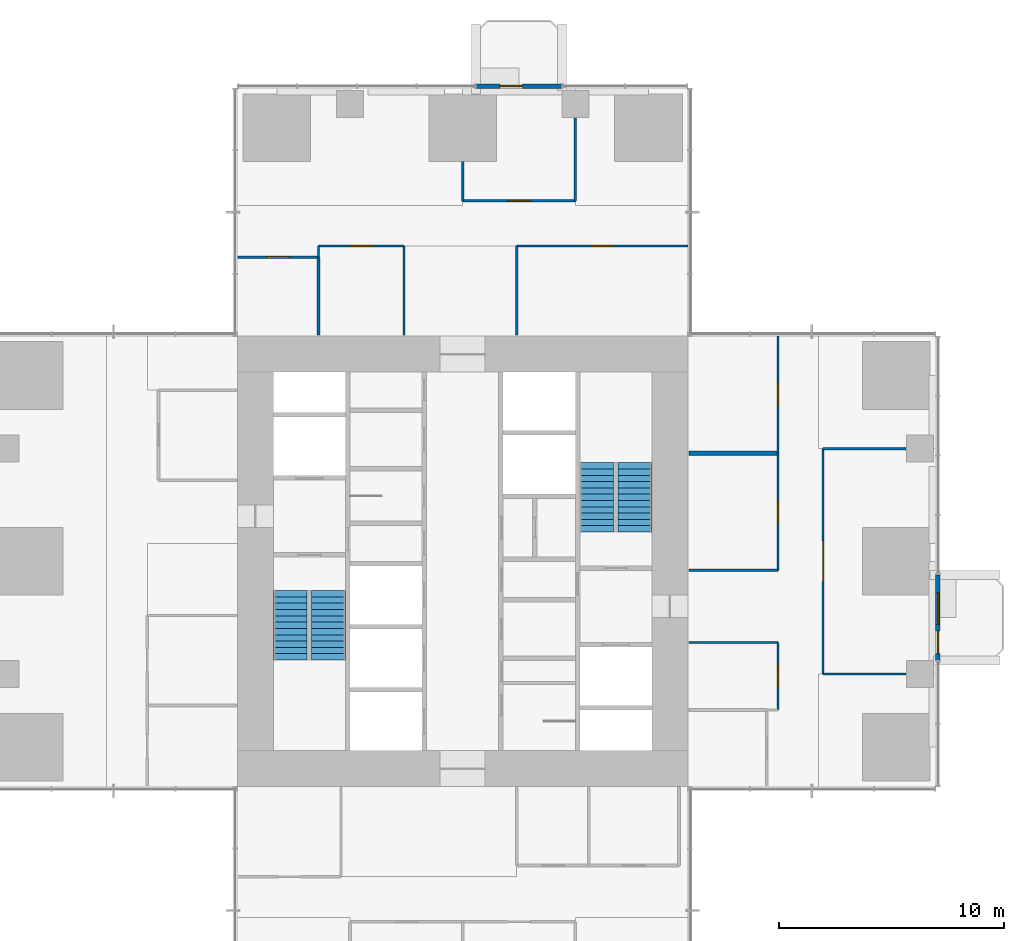
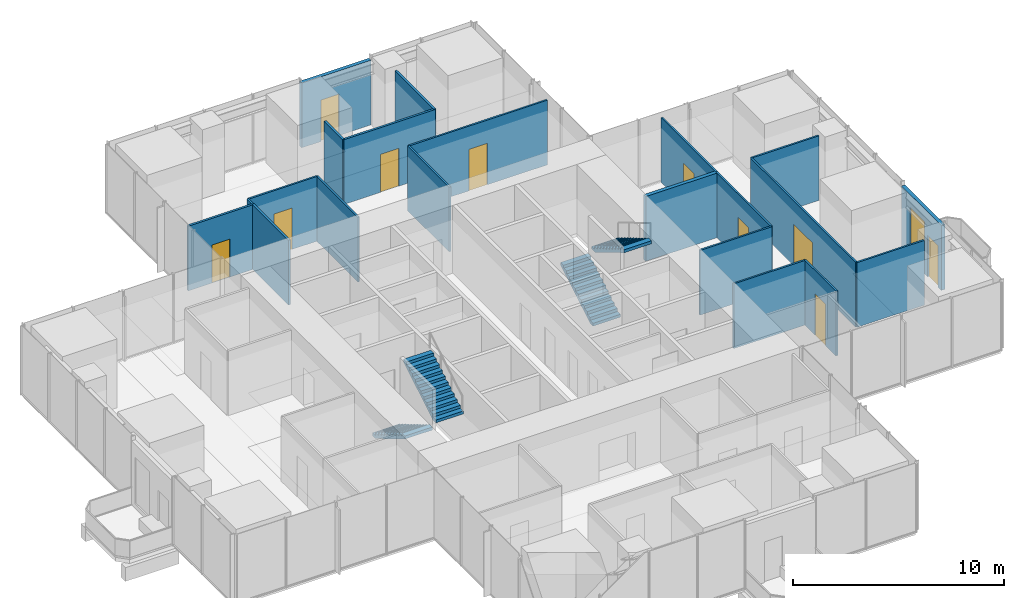
# One storey, part 10 of 13: 21 walls, 10 doors, 4 stair flights, 1 window, 11 openings, 2 elements without a shape of their own.
"""IFC4 building model written with IfcOpenShell, lengths in metres."""

from ifc_helpers import new_model, si_unit, direction, frame, frame_2d, origin, place, context, subcontext, project, spatial, polyline, rectangle, outline, extrude, material, layer, layer_set, type_object, element, fill, aggregate, save


model = new_model("IFC4")

# Units and contexts
model_context = context("Model", 3, precision=1e-05, world=origin(), true_north=direction((0.0, 1.0)))
body_context = subcontext(model_context, "Body", "Model", "MODEL_VIEW")
ifc_project = project(units=[si_unit("LENGTHUNIT", "METRE"), si_unit("AREAUNIT", "SQUARE_METRE"), si_unit("VOLUMEUNIT", "CUBIC_METRE"), si_unit("PLANEANGLEUNIT", "RADIAN"), si_unit("MASSUNIT", "GRAM", prefix="KILO")], contexts=[model_context])

# Site, building, storey
site_placement = place(None, origin())
site = spatial("IfcSite", under=ifc_project, at=site_placement, CompositionType="ELEMENT")
building_placement = place(site_placement, origin())
building = spatial("IfcBuilding", under=site, at=building_placement, Name="Svetlomir Tower", CompositionType="ELEMENT")
storey_placement = place(building_placement, frame((0.0, 0.0, 120.5)))
storey = spatial("IfcBuildingStorey", under=building, at=storey_placement, Name="L28", CompositionType="ELEMENT", Elevation=120.5)

# Wall
ifc_material_1 = material(Name="Gypsum board on twin steel studs", Category="steel")
ifc_layer_1 = layer(ifc_material_1, 0.199951171875)
ifc_layer_set_1 = layer_set([ifc_layer_1], Name="Gypsum board on twin steel studs")
wall_type_1 = type_object("IfcWallType", Name="ACOUSTIC PARTITION 200", PredefinedType="PARTITIONING", material=ifc_layer_set_1)
wall_1_placement = place(storey_placement, frame((31.050048828125, 25.800048828125, 0.0), z_axis=(0.0, 0.0, 1.0), x_axis=(1.0, 0.0, 0.0)))
element("IfcWall", 1, at=wall_1_placement, inside=storey, type_object=wall_type_1, Name="Acoustic partition L28", PredefinedType="PARTITIONING", context=body_context, shape_type="SweptSolid", body=[
    extrude(rectangle(XDim=3.949951171875, YDim=0.199951171875, at=frame_2d((1.97509765625, 0.0))), origin(), (0.0, 0.0, 1.0), 3.75),
])

# Wall, openings, door, window
ifc_material_2 = material(Name="Bronze anodised aluminium glazed screen", Category="aluminium")
ifc_layer_2 = layer(ifc_material_2, 0.199951171875)
ifc_layer_set_2 = layer_set([ifc_layer_2], Name="Bronze anodised aluminium glazed screen")
wall_type_2 = type_object("IfcWallType", Name="BALCONY SCREEN WALL 200", PredefinedType="USERDEFINED", material=ifc_layer_set_2)
wall_2_placement = place(storey_placement, frame((42.10009765625, 16.60009765625, 0.0), z_axis=(0.0, 0.0, 1.0), x_axis=(0.0, 1.0, 0.0)))
wall_2 = element("IfcWall", 2, at=wall_2_placement, inside=storey, type_object=wall_type_2, Name="Balcony screen E", ObjectType="GLAZED SCREEN", PredefinedType="USERDEFINED", context=body_context, shape_type="SweptSolid", body=[
    extrude(rectangle(XDim=3.7998046875, YDim=0.199951171875, at=frame_2d((1.89990234375, 0.0))), origin(), (0.0, 0.0, 1.0), 3.75),
])
opening_1_placement = place(wall_2_placement, frame((0.300048828125, 0.0, 0.0)))
opening_1 = element("IfcOpeningElement", 3, at=opening_1_placement, cuts=wall_2, Name="Opening BD", PredefinedType="OPENING", context=body_context, shape_type="SweptSolid", body=[
    extrude(rectangle(XDim=1.0, YDim=2.39990234375, at=frame_2d((0.5, 1.199951171875))), frame((0.0, 0.10986328125, 0.0), z_axis=(0.0, -1.0, 0.0), x_axis=(1.0, 0.0, 0.0)), (0.0, 0.0, 1.0), 0.219970703125),
])
opening_2_placement = place(wall_2_placement, frame((1.60009765625, 0.0, 0.300048828125)))
opening_2 = element("IfcOpeningElement", 4, at=opening_2_placement, cuts=wall_2, Name="Opening WS2", PredefinedType="OPENING", context=body_context, shape_type="SweptSolid", body=[
    extrude(rectangle(XDim=1.39990234375, YDim=2.699951171875, at=frame_2d((0.699951171875, 1.35009765625))), frame((0.0, 0.10986328125, 0.0), z_axis=(0.0, -1.0, 0.0), x_axis=(1.0, 0.0, 0.0)), (0.0, 0.0, 1.0), 0.219970703125),
])
ifc_material_3 = material(Name="Bronze anodised aluminium glazed door", Category="aluminium")
door_type_1 = type_object("IfcDoorType", Name="BALCONY DOOR BD 1000x2400", OperationType="SINGLE_SWING_LEFT", PredefinedType="DOOR", material=ifc_material_3)
door_1_placement = place(opening_1_placement, origin())
door_1 = element("IfcDoor", 5, at=door_1_placement, inside=storey, type_object=door_type_1, Name="Balcony screen E door", OperationType="SINGLE_SWING_LEFT", OverallHeight=2.39990234375, OverallWidth=1.0, PredefinedType="DOOR", context=body_context, shape_type="SweptSolid", body=[
    extrude(rectangle(XDim=1.0, YDim=2.39990234375, at=frame_2d((0.5, 1.199951171875))), frame((0.0, 0.02490234375, 0.0), z_axis=(0.0, -1.0, 0.0), x_axis=(1.0, 0.0, 0.0)), (0.0, 0.0, 1.0), 0.050048828125),
])
fill(opening_1, door_1)
ifc_material_4 = material(Name="Bronze anodised aluminium window", Category="aluminium")
window_type = type_object("IfcWindowType", Name="SCREEN WINDOW WS2 1400x2700", PartitioningType="SINGLE_PANEL", PredefinedType="WINDOW", material=ifc_material_4)
window_placement = place(opening_2_placement, origin())
window = element("IfcWindow", 6, at=window_placement, inside=storey, type_object=window_type, Name="Balcony screen E window 1", OverallHeight=2.699951171875, OverallWidth=1.39990234375, PartitioningType="SINGLE_PANEL", PredefinedType="WINDOW", context=body_context, shape_type="SweptSolid", body=[
    extrude(rectangle(XDim=1.39990234375, YDim=2.699951171875, at=frame_2d((0.699951171875, 1.35009765625))), frame((0.0, 0.030029296875, 0.0), z_axis=(0.0, -1.0, 0.0), x_axis=(1.0, 0.0, 0.0)), (0.0, 0.0, 1.0), 0.06005859375),
])
fill(opening_2, window)

# Wall, opening, door
wall_3_placement = place(storey_placement, frame((25.39990234375, 42.10009765625, 0.0), z_axis=(0.0, 0.0, 1.0), x_axis=(-1.0, 0.0, 0.0)))
wall_3 = element("IfcWall", 7, at=wall_3_placement, inside=storey, type_object=wall_type_2, Name="Balcony screen N", ObjectType="GLAZED SCREEN", PredefinedType="USERDEFINED", context=body_context, shape_type="SweptSolid", body=[
    extrude(rectangle(XDim=3.7998046875, YDim=0.199951171875, at=frame_2d((1.89990234375, 0.0))), origin(), (0.0, 0.0, 1.0), 3.75),
])
opening_3_placement = place(wall_3_placement, frame((1.75, 0.0, 0.0)))
opening_3 = element("IfcOpeningElement", 8, at=opening_3_placement, cuts=wall_3, Name="Opening BD", PredefinedType="OPENING", context=body_context, shape_type="SweptSolid", body=[
    extrude(rectangle(XDim=1.0, YDim=2.39990234375, at=frame_2d((0.5, 1.199951171875))), frame((0.0, 0.10986328125, 0.0), z_axis=(0.0, -1.0, 0.0), x_axis=(1.0, 0.0, 0.0)), (0.0, 0.0, 1.0), 0.219970703125),
])
door_2_placement = place(opening_3_placement, origin())
door_2 = element("IfcDoor", 9, at=door_2_placement, inside=storey, type_object=door_type_1, Name="Balcony screen N door", OperationType="SINGLE_SWING_LEFT", OverallHeight=2.39990234375, OverallWidth=1.0, PredefinedType="DOOR", context=body_context, shape_type="SweptSolid", body=[
    extrude(rectangle(XDim=1.0, YDim=2.39990234375, at=frame_2d((0.5, 1.199951171875))), frame((0.0, 0.02490234375, 0.0), z_axis=(0.0, -1.0, 0.0), x_axis=(1.0, 0.0, 0.0)), (0.0, 0.0, 1.0), 0.050048828125),
])
fill(opening_3, door_2)

# Wall
ifc_material_5 = material(Name="Framed laminated glass partition", Category="glass")
ifc_layer_3 = layer(ifc_material_5, 0.10009765625)
ifc_layer_set_3 = layer_set([ifc_layer_3], Name="Framed laminated glass partition")
wall_type_3 = type_object("IfcWallType", Name="GLAZED PARTITION 100", PredefinedType="PARTITIONING", material=ifc_layer_set_3)
wall_4_placement = place(storey_placement, frame((14.60009765625, 34.5, 0.0), z_axis=(0.0, 0.0, 1.0), x_axis=(0.0, 1.0, 0.0)))
element("IfcWall", 10, at=wall_4_placement, inside=storey, type_object=wall_type_3, Name="Glazed partition L28", PredefinedType="PARTITIONING", context=body_context, shape_type="SweptSolid", body=[
    extrude(rectangle(XDim=0.5, YDim=0.10009765625, at=frame_2d((0.25, 0.0))), origin(), (0.0, 0.0, 1.0), 3.75),
])

# Wall, opening, door
wall_5_placement = place(storey_placement, frame((14.60009765625, 35.0, 0.0), z_axis=(0.0, 0.0, 1.0), x_axis=(1.0, 0.0, 0.0)))
wall_5 = element("IfcWall", 11, at=wall_5_placement, inside=storey, type_object=wall_type_3, Name="Glazed partition L28", PredefinedType="PARTITIONING", context=body_context, shape_type="SweptSolid", body=[
    extrude(rectangle(XDim=3.7998046875, YDim=0.10009765625, at=frame_2d((1.89990234375, 0.0))), origin(), (0.0, 0.0, 1.0), 3.75),
])
opening_4_placement = place(wall_5_placement, frame((1.39990234375, 0.0, 0.0)))
opening_4 = element("IfcOpeningElement", 12, at=opening_4_placement, cuts=wall_5, Name="Opening DG", PredefinedType="OPENING", context=body_context, shape_type="SweptSolid", body=[
    extrude(rectangle(XDim=1.0, YDim=2.39990234375, at=frame_2d((0.5, 1.199951171875))), frame((0.0, 0.06005859375, 0.0), z_axis=(0.0, -1.0, 0.0), x_axis=(1.0, 0.0, 0.0)), (0.0, 0.0, 1.0), 0.1201171875),
])
ifc_material_6 = material(Name="Framed laminated glass door", Category="glass")
door_type_2 = type_object("IfcDoorType", Name="GLAZED DOOR DG 1000x2400", OperationType="SINGLE_SWING_LEFT", PredefinedType="DOOR", material=ifc_material_6)
door_3_placement = place(opening_4_placement, origin())
door_3 = element("IfcDoor", 13, at=door_3_placement, inside=storey, type_object=door_type_2, Name="Focus room 2 door L28", OperationType="SINGLE_SWING_RIGHT", OverallHeight=2.39990234375, OverallWidth=1.0, PredefinedType="DOOR", context=body_context, shape_type="SweptSolid", body=[
    extrude(rectangle(XDim=1.0, YDim=2.39990234375, at=frame_2d((0.5, 1.199951171875))), frame((0.0, 0.02490234375, 0.0), z_axis=(0.0, -1.0, 0.0), x_axis=(1.0, 0.0, 0.0)), (0.0, 0.0, 1.0), 0.050048828125),
])
fill(opening_4, door_3)

# Walls
for number, where, z_axis, x_axis, name in (
    (14, (18.39990234375, 31.050048828125, 0.0), (0.0, 0.0, 1.0), (0.0, 1.0, 0.0), "Glazed partition L28"),
    (15, (23.39990234375, 31.050048828125, 0.0), (0.0, 0.0, 1.0), (0.0, 1.0, 0.0), "Glazed partition L28"),
):
    element("IfcWall", number, at=place(storey_placement, frame(where, z_axis=z_axis, x_axis=x_axis)), inside=storey, type_object=wall_type_3, Name=name, PredefinedType="PARTITIONING", context=body_context, shape_type="SweptSolid", body=[
        extrude(rectangle(XDim=3.949951171875, YDim=0.10009765625, at=frame_2d((1.97509765625, 0.0))), origin(), (0.0, 0.0, 1.0), 3.75),
    ])

# Wall, opening, door
wall_6_placement = place(storey_placement, frame((23.39990234375, 35.0, 0.0), z_axis=(0.0, 0.0, 1.0), x_axis=(1.0, 0.0, 0.0)))
wall_6 = element("IfcWall", 16, at=wall_6_placement, inside=storey, type_object=wall_type_3, Name="Glazed partition L28", PredefinedType="PARTITIONING", context=body_context, shape_type="SweptSolid", body=[
    extrude(rectangle(XDim=7.60009765625, YDim=0.10009765625, at=frame_2d((3.800048828125, 0.0))), origin(), (0.0, 0.0, 1.0), 3.75),
])
opening_5_placement = place(wall_6_placement, frame((3.300048828125, 0.0, 0.0)))
opening_5 = element("IfcOpeningElement", 17, at=opening_5_placement, cuts=wall_6, Name="Opening DG", PredefinedType="OPENING", context=body_context, shape_type="SweptSolid", body=[
    extrude(rectangle(XDim=1.0, YDim=2.39990234375, at=frame_2d((0.5, 1.199951171875))), frame((0.0, 0.06005859375, 0.0), z_axis=(0.0, -1.0, 0.0), x_axis=(1.0, 0.0, 0.0)), (0.0, 0.0, 1.0), 0.1201171875),
])
door_4_placement = place(opening_5_placement, origin())
door_4 = element("IfcDoor", 18, at=door_4_placement, inside=storey, type_object=door_type_2, Name="Meeting room, 10 seats door L28", OperationType="SINGLE_SWING_LEFT", OverallHeight=2.39990234375, OverallWidth=1.0, PredefinedType="DOOR", context=body_context, shape_type="SweptSolid", body=[
    extrude(rectangle(XDim=1.0, YDim=2.39990234375, at=frame_2d((0.5, 1.199951171875))), frame((0.0, 0.02490234375, 0.0), z_axis=(0.0, -1.0, 0.0), x_axis=(1.0, 0.0, 0.0)), (0.0, 0.0, 1.0), 0.050048828125),
])
fill(opening_5, door_4)

# Walls
for number, where, z_axis, x_axis, name in (
    (19, (31.050048828125, 17.39990234375, 0.0), (0.0, 0.0, 1.0), (1.0, 0.0, 0.0), "Glazed partition L28"),
    (20, (31.050048828125, 20.60009765625, 0.0), (0.0, 0.0, 1.0), (1.0, 0.0, 0.0), "Glazed partition L28"),
):
    element("IfcWall", number, at=place(storey_placement, frame(where, z_axis=z_axis, x_axis=x_axis)), inside=storey, type_object=wall_type_3, Name=name, PredefinedType="PARTITIONING", context=body_context, shape_type="SweptSolid", body=[
        extrude(rectangle(XDim=3.949951171875, YDim=0.10009765625, at=frame_2d((1.97509765625, 0.0))), origin(), (0.0, 0.0, 1.0), 3.75),
    ])

# Wall, opening, door
wall_7_placement = place(storey_placement, frame((35.0, 14.39990234375, 0.0), z_axis=(0.0, 0.0, 1.0), x_axis=(0.0, 1.0, 0.0)))
wall_7 = element("IfcWall", 21, at=wall_7_placement, inside=storey, type_object=wall_type_3, Name="Glazed partition L28", PredefinedType="PARTITIONING", context=body_context, shape_type="SweptSolid", body=[
    extrude(rectangle(XDim=3.0, YDim=0.10009765625, at=frame_2d((1.5, 0.0))), origin(), (0.0, 0.0, 1.0), 3.75),
])
opening_6_placement = place(wall_7_placement, frame((1.0, 0.0, 0.0)))
opening_6 = element("IfcOpeningElement", 22, at=opening_6_placement, cuts=wall_7, Name="Opening DG", PredefinedType="OPENING", context=body_context, shape_type="SweptSolid", body=[
    extrude(rectangle(XDim=1.0, YDim=2.39990234375, at=frame_2d((0.5, 1.199951171875))), frame((0.0, 0.06005859375, 0.0), z_axis=(0.0, -1.0, 0.0), x_axis=(1.0, 0.0, 0.0)), (0.0, 0.0, 1.0), 0.1201171875),
])
door_5_placement = place(opening_6_placement, origin())
door_5 = element("IfcDoor", 23, at=door_5_placement, inside=storey, type_object=door_type_2, Name="Focus room 1 door L28", OperationType="SINGLE_SWING_LEFT", OverallHeight=2.39990234375, OverallWidth=1.0, PredefinedType="DOOR", context=body_context, shape_type="SweptSolid", body=[
    extrude(rectangle(XDim=1.0, YDim=2.39990234375, at=frame_2d((0.5, 1.199951171875))), frame((0.0, 0.02490234375, 0.0), z_axis=(0.0, -1.0, 0.0), x_axis=(1.0, 0.0, 0.0)), (0.0, 0.0, 1.0), 0.050048828125),
])
fill(opening_6, door_5)

wall_8_placement = place(storey_placement, frame((35.0, 20.60009765625, 0.0), z_axis=(0.0, 0.0, 1.0), x_axis=(0.0, 1.0, 0.0)))
wall_8 = element("IfcWall", 24, at=wall_8_placement, inside=storey, type_object=wall_type_3, Name="Glazed partition L28", PredefinedType="PARTITIONING", context=body_context, shape_type="SweptSolid", body=[
    extrude(rectangle(XDim=5.199951171875, YDim=0.10009765625, at=frame_2d((2.60009765625, 0.0))), origin(), (0.0, 0.0, 1.0), 3.75),
])
opening_7_placement = place(wall_8_placement, frame((2.10009765625, 0.0, 0.0)))
opening_7 = element("IfcOpeningElement", 25, at=opening_7_placement, cuts=wall_8, Name="Opening DG", PredefinedType="OPENING", context=body_context, shape_type="SweptSolid", body=[
    extrude(rectangle(XDim=1.0, YDim=2.39990234375, at=frame_2d((0.5, 1.199951171875))), frame((0.0, 0.06005859375, 0.0), z_axis=(0.0, -1.0, 0.0), x_axis=(1.0, 0.0, 0.0)), (0.0, 0.0, 1.0), 0.1201171875),
])
door_6_placement = place(opening_7_placement, origin())
door_6 = element("IfcDoor", 26, at=door_6_placement, inside=storey, type_object=door_type_2, Name="Deal room, 8 seats door L28", OperationType="SINGLE_SWING_RIGHT", OverallHeight=2.39990234375, OverallWidth=1.0, PredefinedType="DOOR", context=body_context, shape_type="SweptSolid", body=[
    extrude(rectangle(XDim=1.0, YDim=2.39990234375, at=frame_2d((0.5, 1.199951171875))), frame((0.0, 0.02490234375, 0.0), z_axis=(0.0, -1.0, 0.0), x_axis=(1.0, 0.0, 0.0)), (0.0, 0.0, 1.0), 0.050048828125),
])
fill(opening_7, door_6)

wall_9_placement = place(storey_placement, frame((35.0, 25.800048828125, 0.0), z_axis=(0.0, 0.0, 1.0), x_axis=(0.0, 1.0, 0.0)))
wall_9 = element("IfcWall", 27, at=wall_9_placement, inside=storey, type_object=wall_type_3, Name="Glazed partition L28", PredefinedType="PARTITIONING", context=body_context, shape_type="SweptSolid", body=[
    extrude(rectangle(XDim=5.199951171875, YDim=0.10009765625, at=frame_2d((2.60009765625, 0.0))), origin(), (0.0, 0.0, 1.0), 3.75),
])
opening_8_placement = place(wall_9_placement, frame((2.10009765625, 0.0, 0.0)))
opening_8 = element("IfcOpeningElement", 28, at=opening_8_placement, cuts=wall_9, Name="Opening DG", PredefinedType="OPENING", context=body_context, shape_type="SweptSolid", body=[
    extrude(rectangle(XDim=1.0, YDim=2.39990234375, at=frame_2d((0.5, 1.199951171875))), frame((0.0, 0.06005859375, 0.0), z_axis=(0.0, -1.0, 0.0), x_axis=(1.0, 0.0, 0.0)), (0.0, 0.0, 1.0), 0.1201171875),
])
door_7_placement = place(opening_8_placement, origin())
door_7 = element("IfcDoor", 29, at=door_7_placement, inside=storey, type_object=door_type_2, Name="Deal room, 6 seats door L28", OperationType="SINGLE_SWING_LEFT", OverallHeight=2.39990234375, OverallWidth=1.0, PredefinedType="DOOR", context=body_context, shape_type="SweptSolid", body=[
    extrude(rectangle(XDim=1.0, YDim=2.39990234375, at=frame_2d((0.5, 1.199951171875))), frame((0.0, 0.02490234375, 0.0), z_axis=(0.0, -1.0, 0.0), x_axis=(1.0, 0.0, 0.0)), (0.0, 0.0, 1.0), 0.050048828125),
])
fill(opening_8, door_7)

wall_10_placement = place(storey_placement, frame((37.0, 16.0, 0.0), z_axis=(0.0, 0.0, 1.0), x_axis=(0.0, 1.0, 0.0)))
wall_10 = element("IfcWall", 30, at=wall_10_placement, inside=storey, type_object=wall_type_3, Name="Glazed partition L28", PredefinedType="PARTITIONING", context=body_context, shape_type="SweptSolid", body=[
    extrude(rectangle(XDim=10.0, YDim=0.10009765625, at=frame_2d((5.0, 0.0))), origin(), (0.0, 0.0, 1.0), 3.75),
])
opening_9_placement = place(wall_10_placement, frame((4.10009765625, 0.0, 0.0)))
opening_9 = element("IfcOpeningElement", 31, at=opening_9_placement, cuts=wall_10, Name="Opening DD", PredefinedType="OPENING", context=body_context, shape_type="SweptSolid", body=[
    extrude(rectangle(XDim=1.800048828125, YDim=2.39990234375, at=frame_2d((0.89990234375, 1.199951171875))), frame((0.0, 0.06005859375, 0.0), z_axis=(0.0, -1.0, 0.0), x_axis=(1.0, 0.0, 0.0)), (0.0, 0.0, 1.0), 0.1201171875),
])
ifc_material_7 = material(Name="Timber door", Category="wood")
door_type_3 = type_object("IfcDoorType", Name="DOOR DD 1800x2400", OperationType="DOUBLE_DOOR_SINGLE_SWING", PredefinedType="DOOR", material=ifc_material_7)
door_8_placement = place(opening_9_placement, origin())
door_8 = element("IfcDoor", 32, at=door_8_placement, inside=storey, type_object=door_type_3, Name="Deal war room, 16 seats door L28", OperationType="DOUBLE_DOOR_SINGLE_SWING", OverallHeight=2.39990234375, OverallWidth=1.800048828125, PredefinedType="DOOR", context=body_context, shape_type="SweptSolid", body=[
    extrude(rectangle(XDim=1.800048828125, YDim=2.39990234375, at=frame_2d((0.89990234375, 1.199951171875))), frame((0.0, 0.02490234375, 0.0), z_axis=(0.0, -1.0, 0.0), x_axis=(1.0, 0.0, 0.0)), (0.0, 0.0, 1.0), 0.050048828125),
])
fill(opening_9, door_8)

# Walls
for number, where, z_axis, x_axis, name in (
    (33, (37.0, 16.0, 0.0), (0.0, 0.0, 1.0), (1.0, 0.0, 0.0), "Glazed partition L28"),
    (34, (37.0, 26.0, 0.0), (0.0, 0.0, 1.0), (1.0, 0.0, 0.0), "Glazed partition L28"),
):
    element("IfcWall", number, at=place(storey_placement, frame(where, z_axis=z_axis, x_axis=x_axis)), inside=storey, type_object=wall_type_3, Name=name, PredefinedType="PARTITIONING", context=body_context, shape_type="SweptSolid", body=[
        extrude(rectangle(XDim=3.68994140625, YDim=0.10009765625, at=frame_2d((1.844970703125, 0.0))), origin(), (0.0, 0.0, 1.0), 3.75),
    ])

# Wall, opening, door
ifc_material_8 = material(Name="Gypsum board on steel studs", Category="steel")
ifc_layer_4 = layer(ifc_material_8, 0.1201171875)
ifc_layer_set_4 = layer_set([ifc_layer_4], Name="Gypsum board on steel studs")
wall_type_4 = type_object("IfcWallType", Name="PARTITION 120", PredefinedType="PARTITIONING", material=ifc_layer_set_4)
wall_11_placement = place(storey_placement, frame((11.0, 34.5, 0.0), z_axis=(0.0, 0.0, 1.0), x_axis=(1.0, 0.0, 0.0)))
wall_11 = element("IfcWall", 35, at=wall_11_placement, inside=storey, type_object=wall_type_4, Name="Partition L28", PredefinedType="PARTITIONING", context=body_context, shape_type="SweptSolid", body=[
    extrude(rectangle(XDim=3.60009765625, YDim=0.1201171875, at=frame_2d((1.800048828125, 0.0))), origin(), (0.0, 0.0, 1.0), 3.75),
])
opening_10_placement = place(wall_11_placement, frame((1.300048828125, 0.0, 0.0)))
opening_10 = element("IfcOpeningElement", 36, at=opening_10_placement, cuts=wall_11, Name="Opening DR", PredefinedType="OPENING", context=body_context, shape_type="SweptSolid", body=[
    extrude(rectangle(XDim=1.0, YDim=2.199951171875, at=frame_2d((0.5, 1.10009765625))), frame((0.0, 0.070068359375, 0.0), z_axis=(0.0, -1.0, 0.0), x_axis=(1.0, 0.0, 0.0)), (0.0, 0.0, 1.0), 0.14013671875),
])
ifc_material_9 = material(Name="Timber door, glazed side light", Category="wood")
door_type_4 = type_object("IfcDoorType", Name="DOOR DR 1000x2200", OperationType="SINGLE_SWING_LEFT", PredefinedType="DOOR", material=ifc_material_9)
door_9_placement = place(opening_10_placement, origin())
door_9 = element("IfcDoor", 37, at=door_9_placement, inside=storey, type_object=door_type_4, Name="Records store door L28", OperationType="SINGLE_SWING_RIGHT", OverallHeight=2.199951171875, OverallWidth=1.0, PredefinedType="DOOR", context=body_context, shape_type="SweptSolid", body=[
    extrude(rectangle(XDim=1.0, YDim=2.199951171875, at=frame_2d((0.5, 1.10009765625))), frame((0.0, 0.02490234375, 0.0), z_axis=(0.0, -1.0, 0.0), x_axis=(1.0, 0.0, 0.0)), (0.0, 0.0, 1.0), 0.050048828125),
])
fill(opening_10, door_9)

# Walls
wall_12_placement = place(storey_placement, frame((14.60009765625, 31.050048828125, 0.0), z_axis=(0.0, 0.0, 1.0), x_axis=(0.0, 1.0, 0.0)))
element("IfcWall", 38, at=wall_12_placement, inside=storey, type_object=wall_type_4, Name="Partition L28", PredefinedType="PARTITIONING", context=body_context, shape_type="SweptSolid", body=[
    extrude(rectangle(XDim=3.449951171875, YDim=0.1201171875, at=frame_2d((1.72509765625, 0.0))), origin(), (0.0, 0.0, 1.0), 3.75),
])
wall_13_placement = place(storey_placement, frame((21.0, 37.0, 0.0), z_axis=(0.0, 0.0, 1.0), x_axis=(0.0, 1.0, 0.0)))
element("IfcWall", 39, at=wall_13_placement, inside=storey, type_object=wall_type_4, Name="Partition L28", PredefinedType="PARTITIONING", context=body_context, shape_type="SweptSolid", body=[
    extrude(rectangle(XDim=1.739990234375, YDim=0.1201171875, at=frame_2d((0.8701171875, 0.0))), origin(), (0.0, 0.0, 1.0), 3.75),
])

# Wall, opening, door
wall_14_placement = place(storey_placement, frame((21.0, 37.0, 0.0), z_axis=(0.0, 0.0, 1.0), x_axis=(1.0, 0.0, 0.0)))
wall_14 = element("IfcWall", 40, at=wall_14_placement, inside=storey, type_object=wall_type_4, Name="Partition L28", PredefinedType="PARTITIONING", context=body_context, shape_type="SweptSolid", body=[
    extrude(rectangle(XDim=5.0, YDim=0.1201171875, at=frame_2d((2.5, 0.0))), origin(), (0.0, 0.0, 1.0), 3.75),
])
opening_11_placement = place(wall_14_placement, frame((2.0, 0.0, 0.0)))
opening_11 = element("IfcOpeningElement", 41, at=opening_11_placement, cuts=wall_14, Name="Opening DR", PredefinedType="OPENING", context=body_context, shape_type="SweptSolid", body=[
    extrude(rectangle(XDim=1.0, YDim=2.199951171875, at=frame_2d((0.5, 1.10009765625))), frame((0.0, 0.070068359375, 0.0), z_axis=(0.0, -1.0, 0.0), x_axis=(1.0, 0.0, 0.0)), (0.0, 0.0, 1.0), 0.14013671875),
])
door_10_placement = place(opening_11_placement, origin())
door_10 = element("IfcDoor", 42, at=door_10_placement, inside=storey, type_object=door_type_4, Name="Chief strategy officer office door L28", OperationType="SINGLE_SWING_LEFT", OverallHeight=2.199951171875, OverallWidth=1.0, PredefinedType="DOOR", context=body_context, shape_type="SweptSolid", body=[
    extrude(rectangle(XDim=1.0, YDim=2.199951171875, at=frame_2d((0.5, 1.10009765625))), frame((0.0, 0.02490234375, 0.0), z_axis=(0.0, -1.0, 0.0), x_axis=(1.0, 0.0, 0.0)), (0.0, 0.0, 1.0), 0.050048828125),
])
fill(opening_11, door_10)

# Wall
wall_15_placement = place(storey_placement, frame((26.0, 37.0, 0.0), z_axis=(0.0, 0.0, 1.0), x_axis=(0.0, 1.0, 0.0)))
element("IfcWall", 43, at=wall_15_placement, inside=storey, type_object=wall_type_4, Name="Partition L28", PredefinedType="PARTITIONING", context=body_context, shape_type="SweptSolid", body=[
    extrude(rectangle(XDim=3.68994140625, YDim=0.1201171875, at=frame_2d((1.844970703125, 0.0))), origin(), (0.0, 0.0, 1.0), 3.75),
])

# Stair, stair flights
ifc_material_10 = material(Name="Concrete C60/75", Category="concrete")
stair_type = type_object("IfcStairType", Name="EXIT STAIR 3200 RISE 4000", PredefinedType="HALF_TURN_STAIR", material=ifc_material_10)
stair_1_placement = place(storey_placement, origin())
stair_1 = element("IfcStair", 44, at=stair_1_placement, inside=storey, type_object=stair_type, Name="Stair S1 L28 to L29", PredefinedType="HALF_TURN_STAIR")
ifc_material_11 = material(Name="Concrete C60/75", Category="concrete")
stair_flight_type = type_object("IfcStairFlightType", Name="STAIR FLIGHT 1500 OF 12 RISERS", PredefinedType="STRAIGHT", material=ifc_material_11)
stair_flight_1_placement = place(storey_placement, frame((13.35009765625, 19.699951171875, 0.0), z_axis=(0.0, 0.0, 1.0), x_axis=(0.0, -1.0, 0.0)))
stair_flight_1 = element("IfcStairFlight", 45, at=stair_flight_1_placement, type_object=stair_flight_type, Name="S1 flight 1", NumberOfRisers=12, NumberOfTreads=11, PredefinedType="STRAIGHT", RiserHeight=0.166666667, TreadLength=0.28, context=body_context, shape_type="SweptSolid", body=[
    extrude(outline(polyline([(0.0, 0.0), (0.0, 0.166748046875), (0.280029296875, 0.166748046875), (0.280029296875, 0.333251953125), (0.56005859375, 0.333251953125), (0.56005859375, 0.5), (0.840087890625, 0.5), (0.840087890625, 0.666748046875), (1.1201171875, 0.666748046875), (1.1201171875, 0.833251953125), (1.39990234375, 0.833251953125), (1.39990234375, 1.0), (1.679931640625, 1.0), (1.679931640625, 1.166748046875), (1.9599609375, 1.166748046875), (1.9599609375, 1.333251953125), (2.239990234375, 1.333251953125), (2.239990234375, 1.5), (2.52001953125, 1.5), (2.52001953125, 1.666748046875), (2.800048828125, 1.666748046875), (2.800048828125, 1.833251953125), (3.080078125, 1.833251953125), (3.080078125, 2.0), (3.080078125, 1.658935546875), (0.29296875, 0.0), (0.0, 0.0)])), frame((0.0, 0.75, 0.0), z_axis=(0.0, -1.0, 0.0), x_axis=(1.0, 0.0, 0.0)), (0.0, 0.0, 1.0), 1.5),
])
stair_flight_2_placement = place(storey_placement, frame((15.050048828125, 16.6201171875, 2.0), z_axis=(0.0, 0.0, 1.0), x_axis=(0.0, 1.0, 0.0)))
stair_flight_2 = element("IfcStairFlight", 46, at=stair_flight_2_placement, type_object=stair_flight_type, Name="S1 flight 2", NumberOfRisers=12, NumberOfTreads=11, PredefinedType="STRAIGHT", RiserHeight=0.166666667, TreadLength=0.28, context=body_context, shape_type="SweptSolid", body=[
    extrude(outline(polyline([(0.0, 0.0), (0.0, 0.166748046875), (0.280029296875, 0.166748046875), (0.280029296875, 0.333251953125), (0.56005859375, 0.333251953125), (0.56005859375, 0.5), (0.840087890625, 0.5), (0.840087890625, 0.666748046875), (1.1201171875, 0.666748046875), (1.1201171875, 0.833251953125), (1.39990234375, 0.833251953125), (1.39990234375, 1.0), (1.679931640625, 1.0), (1.679931640625, 1.166748046875), (1.9599609375, 1.166748046875), (1.9599609375, 1.333251953125), (2.239990234375, 1.333251953125), (2.239990234375, 1.5), (2.52001953125, 1.5), (2.52001953125, 1.666748046875), (2.800048828125, 1.666748046875), (2.800048828125, 1.833251953125), (3.080078125, 1.833251953125), (3.080078125, 2.0), (3.080078125, 1.658935546875), (0.29296875, 0.0), (0.0, 0.0)])), frame((0.0, 0.75, 0.0), z_axis=(0.0, -1.0, 0.0), x_axis=(1.0, 0.0, 0.0)), (0.0, 0.0, 1.0), 1.5),
])
aggregate(stair_1, [stair_flight_1, stair_flight_2])

stair_2_placement = place(storey_placement, origin())
stair_2 = element("IfcStair", 47, at=stair_2_placement, inside=storey, type_object=stair_type, Name="Stair S2 L28 to L29", PredefinedType="HALF_TURN_STAIR")
stair_flight_3_placement = place(storey_placement, frame((26.949951171875, 22.300048828125, 0.0), z_axis=(0.0, 0.0, 1.0), x_axis=(0.0, 1.0, 0.0)))
stair_flight_3 = element("IfcStairFlight", 48, at=stair_flight_3_placement, type_object=stair_flight_type, Name="S2 flight 1", NumberOfRisers=12, NumberOfTreads=11, PredefinedType="STRAIGHT", RiserHeight=0.166666667, TreadLength=0.28, context=body_context, shape_type="SweptSolid", body=[
    extrude(outline(polyline([(0.0, 0.0), (0.0, 0.166748046875), (0.280029296875, 0.166748046875), (0.280029296875, 0.333251953125), (0.56005859375, 0.333251953125), (0.56005859375, 0.5), (0.840087890625, 0.5), (0.840087890625, 0.666748046875), (1.1201171875, 0.666748046875), (1.1201171875, 0.833251953125), (1.39990234375, 0.833251953125), (1.39990234375, 1.0), (1.679931640625, 1.0), (1.679931640625, 1.166748046875), (1.9599609375, 1.166748046875), (1.9599609375, 1.333251953125), (2.239990234375, 1.333251953125), (2.239990234375, 1.5), (2.52001953125, 1.5), (2.52001953125, 1.666748046875), (2.800048828125, 1.666748046875), (2.800048828125, 1.833251953125), (3.080078125, 1.833251953125), (3.080078125, 2.0), (3.080078125, 1.658935546875), (0.29296875, 0.0), (0.0, 0.0)])), frame((0.0, 0.75, 0.0), z_axis=(0.0, -1.0, 0.0), x_axis=(1.0, 0.0, 0.0)), (0.0, 0.0, 1.0), 1.5),
])
stair_flight_4_placement = place(storey_placement, frame((28.64990234375, 25.3798828125, 2.0), z_axis=(0.0, 0.0, 1.0), x_axis=(0.0, -1.0, 0.0)))
stair_flight_4 = element("IfcStairFlight", 49, at=stair_flight_4_placement, type_object=stair_flight_type, Name="S2 flight 2", NumberOfRisers=12, NumberOfTreads=11, PredefinedType="STRAIGHT", RiserHeight=0.166666667, TreadLength=0.28, context=body_context, shape_type="SweptSolid", body=[
    extrude(outline(polyline([(0.0, 0.0), (0.0, 0.166748046875), (0.280029296875, 0.166748046875), (0.280029296875, 0.333251953125), (0.56005859375, 0.333251953125), (0.56005859375, 0.5), (0.840087890625, 0.5), (0.840087890625, 0.666748046875), (1.1201171875, 0.666748046875), (1.1201171875, 0.833251953125), (1.39990234375, 0.833251953125), (1.39990234375, 1.0), (1.679931640625, 1.0), (1.679931640625, 1.166748046875), (1.9599609375, 1.166748046875), (1.9599609375, 1.333251953125), (2.239990234375, 1.333251953125), (2.239990234375, 1.5), (2.52001953125, 1.5), (2.52001953125, 1.666748046875), (2.800048828125, 1.666748046875), (2.800048828125, 1.833251953125), (3.080078125, 1.833251953125), (3.080078125, 2.0), (3.080078125, 1.658935546875), (0.29296875, 0.0), (0.0, 0.0)])), frame((0.0, 0.75, 0.0), z_axis=(0.0, -1.0, 0.0), x_axis=(1.0, 0.0, 0.0)), (0.0, 0.0, 1.0), 1.5),
])
aggregate(stair_2, [stair_flight_3, stair_flight_4])

save(model, "model.ifc")
